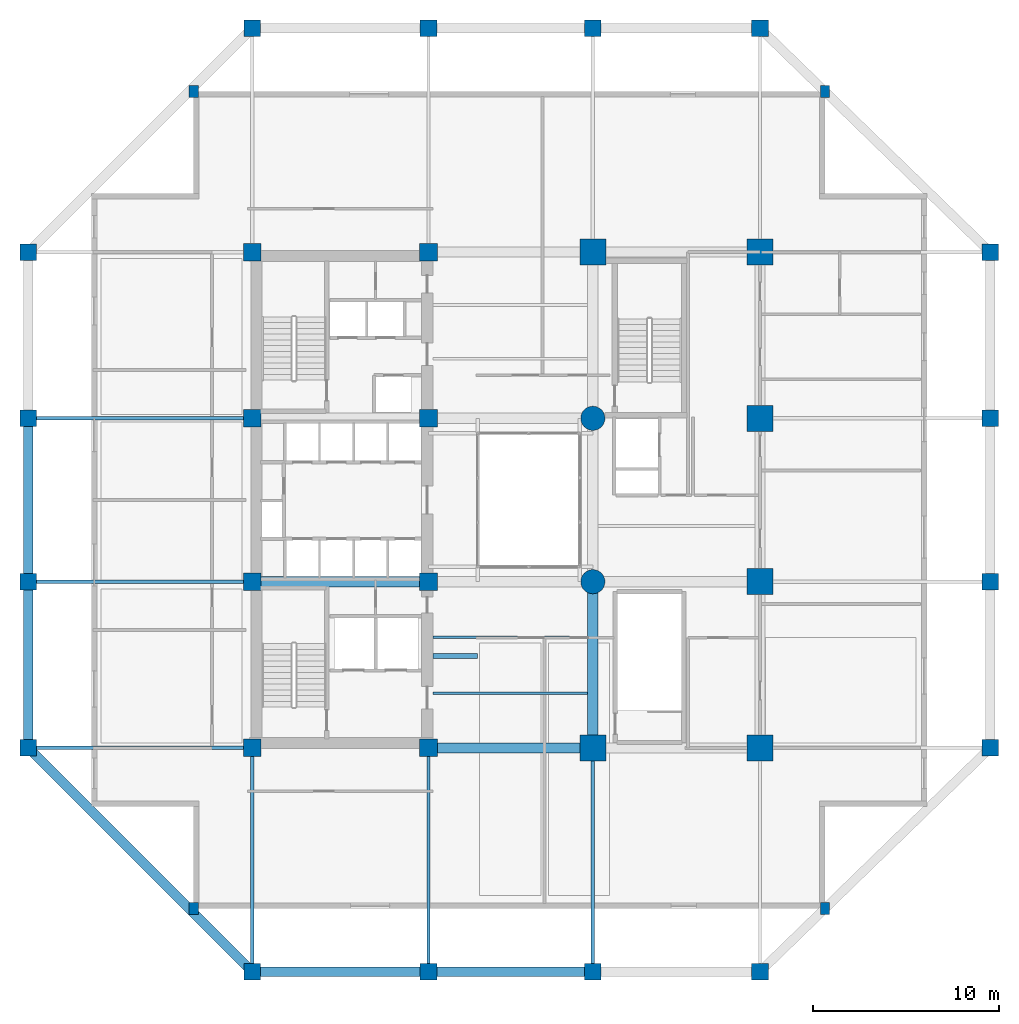
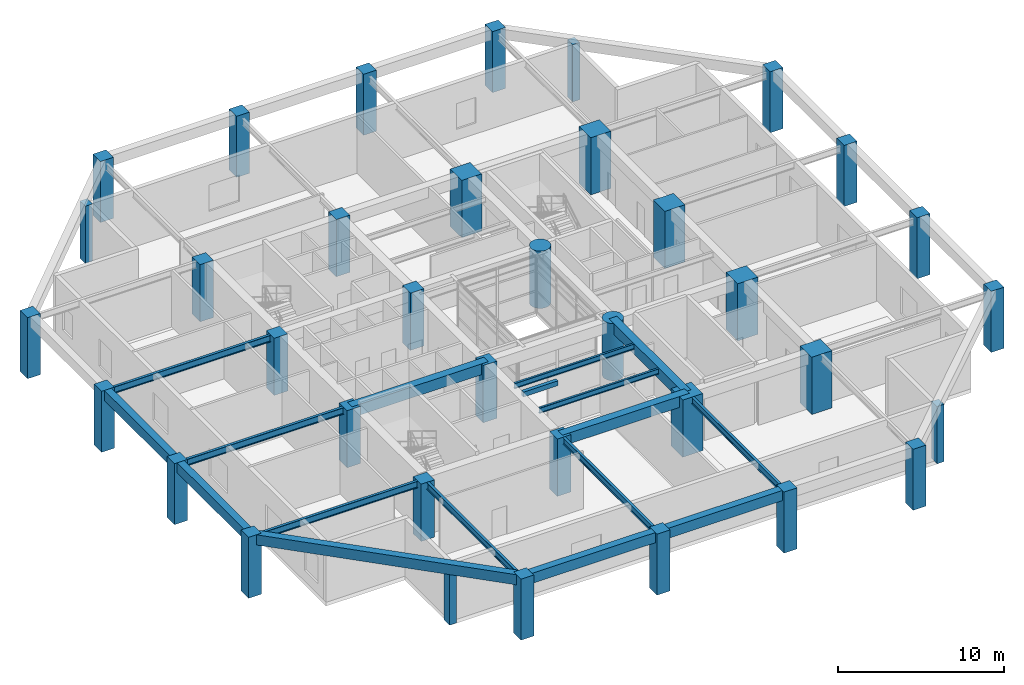
# One storey, part 1 of 13: 36 columns, 17 beams.
"""IFC4 building model written with IfcOpenShell, lengths in metres."""

from ifc_helpers import new_model, si_unit, direction, frame, origin, origin_2d, place, context, subcontext, project, spatial, rectangle, circle, i_section, extrude, material, material_profile, profile_set, type_object, element, save


model = new_model("IFC4")

# Units and contexts
model_context = context("Model", 3, precision=1e-05, world=origin(), true_north=direction((0.0, 1.0)))
body_context = subcontext(model_context, "Body", "Model", "MODEL_VIEW")
ifc_project = project(units=[si_unit("LENGTHUNIT", "METRE"), si_unit("AREAUNIT", "SQUARE_METRE"), si_unit("VOLUMEUNIT", "CUBIC_METRE"), si_unit("PLANEANGLEUNIT", "RADIAN"), si_unit("MASSUNIT", "GRAM", prefix="KILO")], contexts=[model_context])

# Site, building, storey
site_placement = place(None, origin())
site = spatial("IfcSite", under=ifc_project, at=site_placement, CompositionType="ELEMENT")
building_placement = place(site_placement, origin())
building = spatial("IfcBuilding", under=site, at=building_placement, Name="Kundavana Baori Tower", CompositionType="ELEMENT")
storey_placement = place(building_placement, frame((0.0, 0.0, 21.5)))
storey = spatial("IfcBuildingStorey", under=building, at=storey_placement, Name="L04", CompositionType="ELEMENT", Elevation=21.5)

# Columns
ifc_material_1 = material(Name="Concrete C60/75", Category="concrete")
ifc_material_profile_1 = material_profile(ifc_material_1, rectangle(XDim=0.89990234375, YDim=0.89990234375, at=origin_2d()), Name="RC PF 900x900")
ifc_profile_set_1 = profile_set([ifc_material_profile_1], Name="Concrete C60/75")
column_type_1 = type_object("IfcColumnType", Name="COL-PF-900", PredefinedType="COLUMN", material=ifc_profile_set_1)
for number, where, z_axis, x_axis, name in (
    (1, (15.449951171875, 3.199951171875, 0.0), (0.0, 0.0, 1.0), (1.0, 0.0, 0.0), "L04 Stone-Clad Perimeter Frame Column PF-S1"),
    (2, (15.449951171875, 54.0, 0.0), (0.0, 0.0, 1.0), (1.0, 0.0, 0.0), "L04 Stone-Clad Perimeter Frame Column PF-N1"),
    (3, (24.949951171875, 3.199951171875, 0.0), (0.0, 0.0, 1.0), (1.0, 0.0, 0.0), "L04 Stone-Clad Perimeter Frame Column PF-S2"),
    (4, (24.949951171875, 54.0, 0.0), (0.0, 0.0, 1.0), (1.0, 0.0, 0.0), "L04 Stone-Clad Perimeter Frame Column PF-N2"),
    (5, (33.800048828125, 3.199951171875, 0.0), (0.0, 0.0, 1.0), (1.0, 0.0, 0.0), "L04 Stone-Clad Perimeter Frame Column PF-S3"),
    (6, (33.800048828125, 54.0, 0.0), (0.0, 0.0, 1.0), (1.0, 0.0, 0.0), "L04 Stone-Clad Perimeter Frame Column PF-N3"),
    (7, (42.800048828125, 3.199951171875, 0.0), (0.0, 0.0, 1.0), (1.0, 0.0, 0.0), "L04 Stone-Clad Perimeter Frame Column PF-S4"),
    (8, (42.800048828125, 54.0, 0.0), (0.0, 0.0, 1.0), (1.0, 0.0, 0.0), "L04 Stone-Clad Perimeter Frame Column PF-N4"),
    (9, (3.39990234375, 15.25, 0.0), (0.0, 0.0, 1.0), (1.0, 0.0, 0.0), "L04 Stone-Clad Perimeter Frame Column PF-W1"),
    (10, (55.199951171875, 15.25, 0.0), (0.0, 0.0, 1.0), (1.0, 0.0, 0.0), "L04 Stone-Clad Perimeter Frame Column PF-E1"),
    (11, (3.39990234375, 24.199951171875, 0.0), (0.0, 0.0, 1.0), (1.0, 0.0, 0.0), "L04 Stone-Clad Perimeter Frame Column PF-W2"),
    (12, (55.199951171875, 24.199951171875, 0.0), (0.0, 0.0, 1.0), (1.0, 0.0, 0.0), "L04 Stone-Clad Perimeter Frame Column PF-E2"),
    (13, (3.39990234375, 33.0, 0.0), (0.0, 0.0, 1.0), (1.0, 0.0, 0.0), "L04 Stone-Clad Perimeter Frame Column PF-W3"),
    (14, (55.199951171875, 33.0, 0.0), (0.0, 0.0, 1.0), (1.0, 0.0, 0.0), "L04 Stone-Clad Perimeter Frame Column PF-E3"),
    (15, (3.39990234375, 41.949951171875, 0.0), (0.0, 0.0, 1.0), (1.0, 0.0, 0.0), "L04 Stone-Clad Perimeter Frame Column PF-W4"),
    (16, (55.199951171875, 41.949951171875, 0.0), (0.0, 0.0, 1.0), (1.0, 0.0, 0.0), "L04 Stone-Clad Perimeter Frame Column PF-E4"),
):
    element("IfcColumn", number, at=place(storey_placement, frame(where, z_axis=z_axis, x_axis=x_axis)), inside=storey, type_object=column_type_1, Name=name, PredefinedType="COLUMN", context=body_context, shape_type="SweptSolid", body=[
        extrude(rectangle(XDim=0.89990234375, YDim=0.89990234375, at=origin_2d()), origin(), (0.0, 0.0, 1.0), 4.5),
    ])
ifc_material_2 = material(Name="Concrete C50/60", Category="concrete")
ifc_material_profile_2 = material_profile(ifc_material_2, rectangle(XDim=0.5, YDim=0.64990234375, at=origin_2d()), Name="RC PIL 500x650")
ifc_profile_set_2 = profile_set([ifc_material_profile_2], Name="Concrete C50/60")
column_type_2 = type_object("IfcColumnType", Name="COL-PIL-500", PredefinedType="PILASTER", material=ifc_profile_set_2)
for number, where, z_axis, x_axis, name in (
    (17, (12.300048828125, 6.60009765625, 0.0), (0.0, 0.0, 1.0), (1.0, 0.0, 0.0), "L04 Corner Notch Pilaster 1"),
    (18, (46.300048828125, 6.60009765625, 0.0), (0.0, 0.0, 1.0), (1.0, 0.0, 0.0), "L04 Corner Notch Pilaster 2"),
    (19, (46.300048828125, 50.60009765625, 0.0), (0.0, 0.0, 1.0), (1.0, 0.0, 0.0), "L04 Corner Notch Pilaster 3"),
    (20, (12.300048828125, 50.60009765625, 0.0), (0.0, 0.0, 1.0), (1.0, 0.0, 0.0), "L04 Corner Notch Pilaster 4"),
):
    element("IfcColumn", number, at=place(storey_placement, frame(where, z_axis=z_axis, x_axis=x_axis)), inside=storey, type_object=column_type_2, Name=name, PredefinedType="PILASTER", context=body_context, shape_type="SweptSolid", body=[
        extrude(rectangle(XDim=0.5, YDim=0.64990234375, at=origin_2d()), origin(), (0.0, 0.0, 1.0), 4.219970703125),
    ])
ifc_material_3 = material(Name="Concrete C60/75", Category="concrete")
ifc_material_profile_3 = material_profile(ifc_material_3, rectangle(XDim=1.39990234375, YDim=1.39990234375, at=origin_2d()), Name="RC 1400x1400")
ifc_profile_set_3 = profile_set([ifc_material_profile_3], Name="Concrete C60/75")
column_type_3 = type_object("IfcColumnType", Name="COL-RC-1400", PredefinedType="COLUMN", material=ifc_profile_set_3)
for number, where, z_axis, x_axis, name in (
    (21, (33.800048828125, 15.25, 0.0), (0.0, 0.0, 1.0), (1.0, 0.0, 0.0), "L04 Interior Column IC-5C"),
    (22, (33.800048828125, 41.949951171875, 0.0), (0.0, 0.0, 1.0), (1.0, 0.0, 0.0), "L04 Interior Column IC-5F"),
    (23, (42.800048828125, 15.25, 0.0), (0.0, 0.0, 1.0), (1.0, 0.0, 0.0), "L04 Interior Column IC-6C"),
    (24, (42.800048828125, 24.199951171875, 0.0), (0.0, 0.0, 1.0), (1.0, 0.0, 0.0), "L04 Interior Column IC-6D"),
    (25, (42.800048828125, 33.0, 0.0), (0.0, 0.0, 1.0), (1.0, 0.0, 0.0), "L04 Interior Column IC-6E"),
    (26, (42.800048828125, 41.949951171875, 0.0), (0.0, 0.0, 1.0), (1.0, 0.0, 0.0), "L04 Interior Column IC-6F"),
):
    element("IfcColumn", number, at=place(storey_placement, frame(where, z_axis=z_axis, x_axis=x_axis)), inside=storey, type_object=column_type_3, Name=name, PredefinedType="COLUMN", context=body_context, shape_type="SweptSolid", body=[
        extrude(rectangle(XDim=1.39990234375, YDim=1.39990234375, at=origin_2d()), origin(), (0.0, 0.0, 1.0), 4.219970703125),
    ])
ifc_material_4 = material(Name="Concrete C50/60", Category="concrete")
ifc_material_profile_4 = material_profile(ifc_material_4, rectangle(XDim=0.949951171875, YDim=0.949951171875, at=origin_2d()), Name="RC 950x950")
ifc_profile_set_4 = profile_set([ifc_material_profile_4], Name="Concrete C50/60")
column_type_4 = type_object("IfcColumnType", Name="COL-RC-950", PredefinedType="COLUMN", material=ifc_profile_set_4)
for number, where, z_axis, x_axis, name in (
    (27, (15.449951171875, 15.25, 0.0), (0.0, 0.0, 1.0), (1.0, 0.0, 0.0), "L04 Interior Column IC-3C"),
    (28, (15.449951171875, 24.199951171875, 0.0), (0.0, 0.0, 1.0), (1.0, 0.0, 0.0), "L04 Interior Column IC-3D"),
    (29, (15.449951171875, 33.0, 0.0), (0.0, 0.0, 1.0), (1.0, 0.0, 0.0), "L04 Interior Column IC-3E"),
    (30, (15.449951171875, 41.949951171875, 0.0), (0.0, 0.0, 1.0), (1.0, 0.0, 0.0), "L04 Interior Column IC-3F"),
    (31, (24.949951171875, 15.25, 0.0), (0.0, 0.0, 1.0), (1.0, 0.0, 0.0), "L04 Interior Column IC-4C"),
    (32, (24.949951171875, 24.199951171875, 0.0), (0.0, 0.0, 1.0), (1.0, 0.0, 0.0), "L04 Interior Column IC-4D"),
    (33, (24.949951171875, 33.0, 0.0), (0.0, 0.0, 1.0), (1.0, 0.0, 0.0), "L04 Interior Column IC-4E"),
    (34, (24.949951171875, 41.949951171875, 0.0), (0.0, 0.0, 1.0), (1.0, 0.0, 0.0), "L04 Interior Column IC-4F"),
):
    element("IfcColumn", number, at=place(storey_placement, frame(where, z_axis=z_axis, x_axis=x_axis)), inside=storey, type_object=column_type_4, Name=name, PredefinedType="COLUMN", context=body_context, shape_type="SweptSolid", body=[
        extrude(rectangle(XDim=0.949951171875, YDim=0.949951171875, at=origin_2d()), origin(), (0.0, 0.0, 1.0), 4.219970703125),
    ])
ifc_material_5 = material(Name="Concrete C60/75", Category="concrete")
ifc_material_profile_5 = material_profile(ifc_material_5, circle(Radius=0.64990234375, at=origin_2d()), Name="RC D1300")
ifc_profile_set_5 = profile_set([ifc_material_profile_5], Name="Concrete C60/75")
column_type_5 = type_object("IfcColumnType", Name="COL-RC-D1300", PredefinedType="COLUMN", material=ifc_profile_set_5)
for number, where, z_axis, x_axis, name in (
    (35, (33.800048828125, 24.199951171875, 0.0), (0.0, 0.0, 1.0), (1.0, 0.0, 0.0), "L04 Interior Column IC-5D"),
    (36, (33.800048828125, 33.0, 0.0), (0.0, 0.0, 1.0), (1.0, 0.0, 0.0), "L04 Interior Column IC-5E"),
):
    element("IfcColumn", number, at=place(storey_placement, frame(where, z_axis=z_axis, x_axis=x_axis)), inside=storey, type_object=column_type_5, Name=name, PredefinedType="COLUMN", context=body_context, shape_type="SweptSolid", body=[
        extrude(circle(Radius=0.64990234375, at=origin_2d()), origin(), (0.0, 0.0, 1.0), 4.219970703125),
    ])

# Beams
ifc_material_6 = material(Name="Structural Steel S355JR", Category="steel")
ifc_material_profile_6 = material_profile(ifc_material_6, i_section(OverallWidth=0.139892578125, OverallDepth=0.39990234375, WebThickness=0.0087890625, FlangeThickness=0.01611328125, FilletRadius=0.013916015625, at=origin_2d()), Name="ISMB 400")
ifc_profile_set_6 = profile_set([ifc_material_profile_6], Name="Structural Steel S355JR")
beam_type_1 = type_object("IfcBeamType", Name="BM-JST-400", PredefinedType="JOIST", material=ifc_profile_set_6)
for number, where, z_axis, x_axis, name in (
    (37, (25.179931640625, 18.199951171875, 4.02001953125), (1.0, 0.0, 0.0), (0.0, 1.0, 0.0), "L04 Central Bay Composite Floor Joist C1"),
    (38, (25.179931640625, 21.199951171875, 4.02001953125), (1.0, 0.0, 0.0), (0.0, 1.0, 0.0), "L04 Central Bay Composite Floor Joist C2"),
):
    element("IfcBeam", number, at=place(storey_placement, frame(where, z_axis=z_axis, x_axis=x_axis)), inside=storey, type_object=beam_type_1, Name=name, PredefinedType="JOIST", context=body_context, shape_type="SweptSolid", body=[
        extrude(i_section(OverallWidth=0.139892578125, OverallDepth=0.39990234375, WebThickness=0.0087890625, FlangeThickness=0.01611328125, FilletRadius=0.013916015625, at=origin_2d()), origin(), (0.0, 0.0, 1.0), 8.344970703125),
    ])
ifc_material_7 = material(Name="Concrete C40/50", Category="concrete")
ifc_material_profile_7 = material_profile(ifc_material_7, rectangle(XDim=0.25, YDim=0.35009765625, at=origin_2d()), Name="RC LNT 250x350")
ifc_profile_set_7 = profile_set([ifc_material_profile_7], Name="Concrete C40/50")
beam_type_2 = type_object("IfcBeamType", Name="BM-LNT-350", PredefinedType="LINTEL", material=ifc_profile_set_7)
beam_1_placement = place(storey_placement, frame((25.179931640625, 20.199951171875, 4.044921875), z_axis=(1.0, 0.0, 0.0), x_axis=(0.0, 1.0, 0.0)))
element("IfcBeam", 39, at=beam_1_placement, inside=storey, type_object=beam_type_2, Name="L04 Atrium Gallery Portal Lintel Beam", PredefinedType="LINTEL", context=body_context, shape_type="SweptSolid", body=[
    extrude(rectangle(XDim=0.25, YDim=0.35009765625, at=origin_2d()), origin(), (0.0, 0.0, 1.0), 2.420166015625),
])
ifc_material_8 = material(Name="Concrete C50/60", Category="concrete")
ifc_material_profile_8 = material_profile(ifc_material_8, rectangle(XDim=0.5, YDim=0.75, at=origin_2d()), Name="RC BM 500x750")
ifc_profile_set_8 = profile_set([ifc_material_profile_8], Name="Concrete C50/60")
beam_type_3 = type_object("IfcBeamType", Name="BM-PF-750", PredefinedType="SPANDREL", material=ifc_profile_set_8)
beam_2_placement = place(storey_placement, frame((15.449951171875, 3.199951171875, 4.125), z_axis=(1.0, 0.0, 0.0), x_axis=(0.0, 1.0, 0.0)))
element("IfcBeam", 40, at=beam_2_placement, inside=storey, type_object=beam_type_3, Name="L04 Perimeter Frame Ring Beam S1", PredefinedType="SPANDREL", context=body_context, shape_type="SweptSolid", body=[
    extrude(rectangle(XDim=0.5, YDim=0.75, at=origin_2d()), origin(), (0.0, 0.0, 1.0), 9.5),
])
beam_3_placement = place(storey_placement, frame((24.949951171875, 3.199951171875, 4.125), z_axis=(1.0, 0.0, 0.0), x_axis=(0.0, 1.0, 0.0)))
element("IfcBeam", 41, at=beam_3_placement, inside=storey, type_object=beam_type_3, Name="L04 Perimeter Frame Ring Beam S2", PredefinedType="SPANDREL", context=body_context, shape_type="SweptSolid", body=[
    extrude(rectangle(XDim=0.5, YDim=0.75, at=origin_2d()), origin(), (0.0, 0.0, 1.0), 8.85009765625),
])
beam_4_placement = place(storey_placement, frame((3.39990234375, 15.25, 4.125), z_axis=(0.0, 1.0, 0.0), x_axis=(-1.0, 0.0, 0.0)))
element("IfcBeam", 42, at=beam_4_placement, inside=storey, type_object=beam_type_3, Name="L04 Perimeter Frame Ring Beam W1", PredefinedType="SPANDREL", context=body_context, shape_type="SweptSolid", body=[
    extrude(rectangle(XDim=0.5, YDim=0.75, at=origin_2d()), origin(), (0.0, 0.0, 1.0), 8.949951171875),
])
beam_5_placement = place(storey_placement, frame((3.39990234375, 24.199951171875, 4.125), z_axis=(0.0, 1.0, 0.0), x_axis=(-1.0, 0.0, 0.0)))
element("IfcBeam", 43, at=beam_5_placement, inside=storey, type_object=beam_type_3, Name="L04 Perimeter Frame Ring Beam W2", PredefinedType="SPANDREL", context=body_context, shape_type="SweptSolid", body=[
    extrude(rectangle(XDim=0.5, YDim=0.75, at=origin_2d()), origin(), (0.0, 0.0, 1.0), 8.800048828125),
])
beam_6_placement = place(storey_placement, frame((15.449951171875, 3.199951171875, 4.125), z_axis=(-0.707106781187, 0.707106781187, 0.0), x_axis=(-0.707106781187, -0.707106781187, 0.0)))
element("IfcBeam", 44, at=beam_6_placement, inside=storey, type_object=beam_type_3, Name="L04 Notched Corner Perimeter Beam SW", PredefinedType="SPANDREL", context=body_context, shape_type="SweptSolid", body=[
    extrude(rectangle(XDim=0.5, YDim=0.75, at=origin_2d()), origin(), (0.0, 0.0, 1.0), 17.041259765625),
])
ifc_material_9 = material(Name="Concrete C50/60", Category="concrete")
ifc_material_profile_9 = material_profile(ifc_material_9, rectangle(XDim=0.550048828125, YDim=0.800048828125, at=origin_2d()), Name="RC BM 550x800")
ifc_profile_set_9 = profile_set([ifc_material_profile_9], Name="Concrete C50/60")
beam_type_4 = type_object("IfcBeamType", Name="BM-RC-800", PredefinedType="BEAM", material=ifc_profile_set_9)
beam_7_placement = place(storey_placement, frame((24.949951171875, 15.25, 3.820068359375), z_axis=(1.0, 0.0, 0.0), x_axis=(0.0, 1.0, 0.0)))
element("IfcBeam", 45, at=beam_7_placement, inside=storey, type_object=beam_type_4, Name="L04 Primary Grid Girder GX-1-2", PredefinedType="BEAM", context=body_context, shape_type="SweptSolid", body=[
    extrude(rectangle(XDim=0.550048828125, YDim=0.800048828125, at=origin_2d()), origin(), (0.0, 0.0, 1.0), 8.85009765625),
])
beam_8_placement = place(storey_placement, frame((15.449951171875, 24.199951171875, 3.820068359375), z_axis=(1.0, 0.0, 0.0), x_axis=(0.0, 1.0, 0.0)))
element("IfcBeam", 46, at=beam_8_placement, inside=storey, type_object=beam_type_4, Name="L04 Primary Grid Girder GX-2-1", PredefinedType="BEAM", context=body_context, shape_type="SweptSolid", body=[
    extrude(rectangle(XDim=0.550048828125, YDim=0.800048828125, at=origin_2d()), origin(), (0.0, 0.0, 1.0), 9.5),
])
beam_9_placement = place(storey_placement, frame((33.800048828125, 15.25, 3.820068359375), z_axis=(0.0, 1.0, 0.0), x_axis=(-1.0, 0.0, 0.0)))
element("IfcBeam", 47, at=beam_9_placement, inside=storey, type_object=beam_type_4, Name="L04 Primary Grid Girder GY-3-1", PredefinedType="BEAM", context=body_context, shape_type="SweptSolid", body=[
    extrude(rectangle(XDim=0.550048828125, YDim=0.800048828125, at=origin_2d()), origin(), (0.0, 0.0, 1.0), 8.949951171875),
])
ifc_material_10 = material(Name="Structural Steel S355JR", Category="steel")
ifc_material_profile_10 = material_profile(ifc_material_10, i_section(OverallWidth=0.179931640625, OverallDepth=0.5, WebThickness=0.01025390625, FlangeThickness=0.01708984375, FilletRadius=0.01708984375, at=origin_2d()), Name="ISMB 500")
ifc_profile_set_10 = profile_set([ifc_material_profile_10], Name="Structural Steel S355JR")
beam_type_5 = type_object("IfcBeamType", Name="BM-TIE-500", PredefinedType="BEAM", material=ifc_profile_set_10)
for number, where, z_axis, x_axis, name in (
    (48, (15.449951171875, 15.25, 3.969970703125), (0.0, -1.0, 0.0), (1.0, 0.0, 0.0), "L04 South Radial Loggia Tie Beam S1"),
    (49, (24.949951171875, 15.25, 3.969970703125), (0.0, -1.0, 0.0), (1.0, 0.0, 0.0), "L04 South Radial Loggia Tie Beam S2"),
    (50, (33.800048828125, 15.25, 3.969970703125), (0.0, -1.0, 0.0), (1.0, 0.0, 0.0), "L04 South Radial Loggia Tie Beam S3"),
    (51, (15.449951171875, 15.25, 3.969970703125), (-1.0, 0.0, 0.0), (0.0, -1.0, 0.0), "L04 West Radial Loggia Tie Beam W1"),
    (52, (15.449951171875, 24.199951171875, 3.969970703125), (-1.0, 0.0, 0.0), (0.0, -1.0, 0.0), "L04 West Radial Loggia Tie Beam W2"),
    (53, (15.449951171875, 33.0, 3.969970703125), (-1.0, 0.0, 0.0), (0.0, -1.0, 0.0), "L04 West Radial Loggia Tie Beam W3"),
):
    element("IfcBeam", number, at=place(storey_placement, frame(where, z_axis=z_axis, x_axis=x_axis)), inside=storey, type_object=beam_type_5, Name=name, PredefinedType="BEAM", context=body_context, shape_type="SweptSolid", body=[
        extrude(i_section(OverallWidth=0.179931640625, OverallDepth=0.5, WebThickness=0.01025390625, FlangeThickness=0.01708984375, FilletRadius=0.01708984375, at=origin_2d()), origin(), (0.0, 0.0, 1.0), 12.050048828125),
    ])

save(model, "model.ifc")
